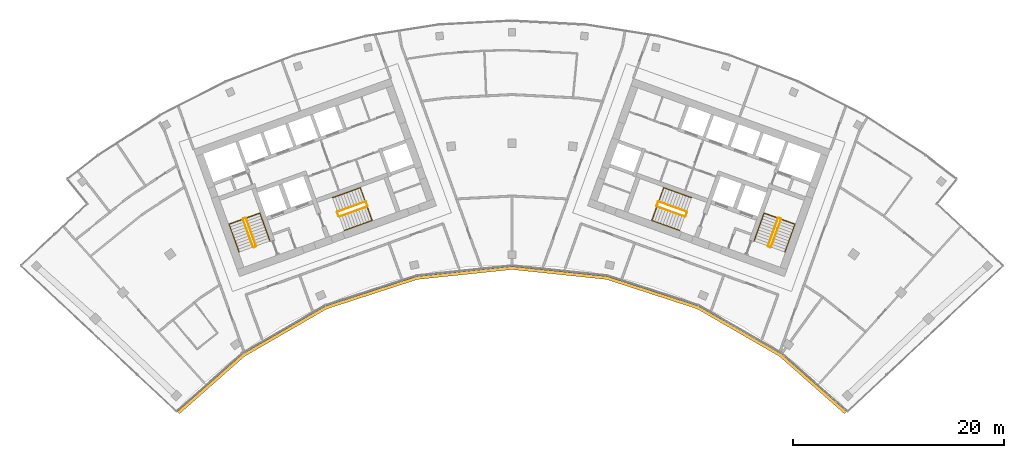
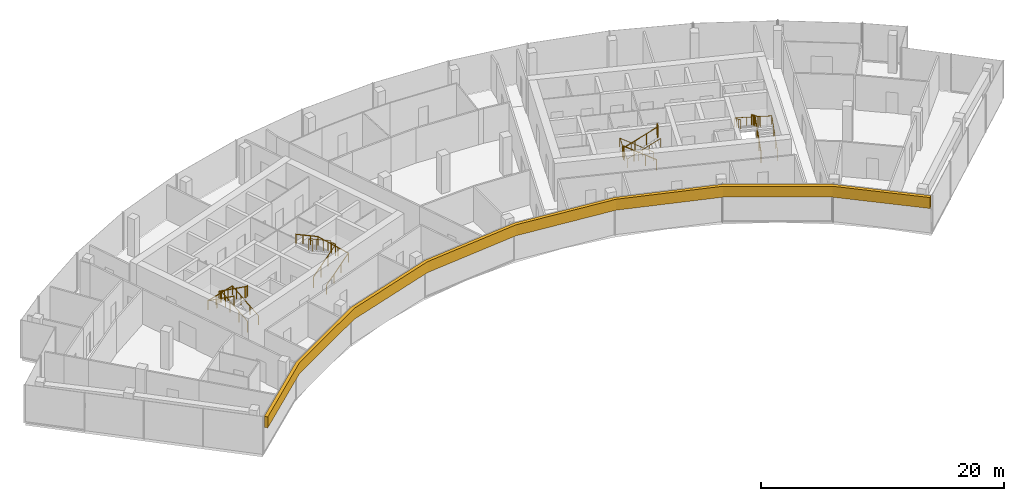
# One storey, part 18 of 18: 12 railings, 1 covering.
"""IFC4 building model written with IfcOpenShell, lengths in metres."""

import ifcopenshell
import ifcopenshell.guid

model = None  # the IFC model being written
_history = None  # IfcOwnerHistory: only IFC2X3 demands one
_inside = {}  # id of a spatial element -> (the spatial element, [elements in it])
_under = {}  # id of a project, library or spatial element -> (it, [spatial elements below it])
_declared = {}  # id of a project -> (the project, [libraries it declares])
_typed = {}  # id of a type object -> (the type object, [elements of that type])
_made_of = {}  # id of a material, layer set ... -> (it, [elements and type objects made of it])


def new_model(schema):
    """Start an empty IFC model of exactly this schema.

    Asked for "IFC4X3", IfcOpenShell would pick the latest addendum, in which some entities
    have other attributes; the version numbers below select the first issue.
    IFC2X3 requires an IfcOwnerHistory on every rooted entity: one is made here for all.
    """
    global model, _history
    if schema == "IFC4X3":
        model = ifcopenshell.file(schema_version=(4, 3, 0, 0))
    else:
        model = ifcopenshell.file(schema=schema)
    _inside.clear()
    _under.clear()
    _declared.clear()
    _typed.clear()
    _made_of.clear()
    _history = None
    if model.schema == "IFC2X3":
        org = make("IfcOrganization", Name="unknown")
        user = make(
            "IfcPersonAndOrganization",
            ThePerson=make("IfcPerson", FamilyName="unknown"),
            TheOrganization=org,
        )
        app = make(
            "IfcApplication",
            ApplicationDeveloper=org,
            Version="unknown",
            ApplicationFullName="unknown",
            ApplicationIdentifier="unknown",
        )
        _history = make(
            "IfcOwnerHistory",
            OwningUser=user,
            OwningApplication=app,
            ChangeAction="ADDED",
            CreationDate=0,
        )
    return model


def make(cls, **values):
    """One entity of the class cls with the attributes given. An attribute that is None is left unset."""
    return model.create_entity(
        cls, **{name: value for name, value in values.items() if value is not None}
    )


def rooted(cls, **values):
    """An entity with a GlobalId (a new one), such as an element, a storey or a relation."""
    return make(cls, GlobalId=ifcopenshell.guid.new(), OwnerHistory=_history, **values)


def si_unit(unit_type, name, prefix=None):
    """IfcSIUnit, for example si_unit("LENGTHUNIT", "METRE", prefix="MILLI")."""
    return make("IfcSIUnit", UnitType=unit_type, Prefix=prefix, Name=name)


def assignment(units):
    """IfcUnitAssignment: the units of a project."""
    return None if units is None else make("IfcUnitAssignment", Units=units)


def point(xyz):
    """IfcCartesianPoint."""
    return None if xyz is None else make("IfcCartesianPoint", Coordinates=xyz)


def direction(xyz):
    """IfcDirection."""
    return None if xyz is None else make("IfcDirection", DirectionRatios=xyz)


def frame(location, z_axis=None, x_axis=None):
    """IfcAxis2Placement3D, a coordinate frame: its origin and axes. An axis left out is left unset."""
    return make(
        "IfcAxis2Placement3D",
        Location=point(location),
        Axis=direction(z_axis),
        RefDirection=direction(x_axis),
    )


def frame_2d(location, x_axis=None):
    """IfcAxis2Placement2D, a coordinate frame in the plane: its origin and x axis."""
    return make(
        "IfcAxis2Placement2D", Location=point(location), RefDirection=direction(x_axis)
    )


def origin():
    """The frame at (0, 0, 0) with its axes left unset."""
    return frame((0.0, 0.0, 0.0))


def origin_2d():
    """The frame at (0, 0) in the plane with its x axis left unset."""
    return frame_2d((0.0, 0.0))


def place(relative_to, where):
    """IfcLocalPlacement: puts the frame where relative to a parent placement (None: the world)."""
    return make(
        "IfcLocalPlacement", PlacementRelTo=relative_to, RelativePlacement=where
    )


def context(
    kind, dimensions, precision=None, world=None, true_north=None, identifier=None
):
    """IfcGeometricRepresentationContext, for example the 3D "Model" context."""
    return make(
        "IfcGeometricRepresentationContext",
        ContextIdentifier=identifier,
        ContextType=kind,
        CoordinateSpaceDimension=dimensions,
        Precision=precision,
        WorldCoordinateSystem=world,
        TrueNorth=true_north,
    )


def subcontext(parent, identifier, kind, view, scale=None):
    """IfcGeometricRepresentationSubContext, for example "Body" below "Model"."""
    return make(
        "IfcGeometricRepresentationSubContext",
        ContextIdentifier=identifier,
        ContextType=kind,
        ParentContext=parent,
        TargetScale=scale,
        TargetView=view,
    )


def project(units=None, contexts=None):
    """IfcProject with its units and contexts."""
    return rooted(
        "IfcProject",
        Name="project",
        RepresentationContexts=contexts,
        UnitsInContext=assignment(units),
    )


def spatial(cls, under=None, at=None, **own):
    """A site, building, storey or space (cls), placed at a placement, below another one or the project."""
    s = rooted(cls, ObjectPlacement=at, **own)
    if under is not None:
        _under.setdefault(under.id(), (under, []))[1].append(s)
    return s


def polyline(points):
    """IfcPolyline through the points."""
    return make("IfcPolyline", Points=[point(p) for p in points])


def profile(cls, at=None, kind="AREA", **sizes):
    """A parametric profile (cls). Its sizes go by their IFC names, for example OverallWidth=200.0."""
    return make(cls, ProfileType=kind, Position=at, **sizes)


def circle(**sizes):
    """IfcCircleProfileDef."""
    return profile("IfcCircleProfileDef", **sizes)


def outline(outer, holes=None, kind="AREA"):
    """IfcArbitraryClosedProfileDef: a profile drawn as a closed curve; with holes, ...WithVoids."""
    if holes is None:
        return make("IfcArbitraryClosedProfileDef", ProfileType=kind, OuterCurve=outer)
    return make(
        "IfcArbitraryProfileDefWithVoids",
        ProfileType=kind,
        OuterCurve=outer,
        InnerCurves=holes,
    )


def extrude(swept, where, along, depth):
    """IfcExtrudedAreaSolid: the profile swept, set in the frame where, extruded along a direction by depth."""
    return make(
        "IfcExtrudedAreaSolid",
        SweptArea=swept,
        Position=where,
        ExtrudedDirection=direction(along),
        Depth=depth,
    )


def shape(context_of_items, identifier, shape_type, items):
    """IfcShapeRepresentation: the items that make up one representation, for example the "Body"."""
    return make(
        "IfcShapeRepresentation",
        ContextOfItems=context_of_items,
        RepresentationIdentifier=identifier,
        RepresentationType=shape_type,
        Items=items,
    )


def material(Name=None, Category=None):
    """IfcMaterial."""
    return make("IfcMaterial", Name=Name, Category=Category)


def layer(
    of_material, thickness, ventilated=None, Name=None, Category=None, Priority=None
):
    """IfcMaterialLayer: one layer of a wall or slab, of a material (None: an air gap)."""
    return make(
        "IfcMaterialLayer",
        Material=of_material,
        LayerThickness=thickness,
        IsVentilated=ventilated,
        Name=Name,
        Category=Category,
        Priority=Priority,
    )


def layer_set(layers, Name=None):
    """IfcMaterialLayerSet."""
    return make("IfcMaterialLayerSet", MaterialLayers=layers, LayerSetName=Name)


def made_of(thing, what):
    """Note that an element or type object is made of a material, layer set ...; save() writes the relation."""
    if what is not None:
        _made_of.setdefault(what.id(), (what, []))[1].append(thing)
    return thing


def type_object(cls, material=None, **own):
    """A type object (cls), such as IfcWallType, which elements share."""
    return made_of(rooted(cls, **own), material)


def element(
    cls,
    number,
    at=None,
    inside=None,
    cuts=None,
    type_object=None,
    material=None,
    context=None,
    identifier="Body",
    shape_type=None,
    held_by="IfcProductDefinitionShape",
    body=None,
    shapes=None,
    **own,
):
    """One element of the class cls, such as IfcWall. Its Tag is "e" and its number.

    at: its placement. inside: the storey or other place that contains it. cuts: it is an
    opening in that element (IfcRelVoidsElement). A single representation is given by context,
    identifier, shape_type and body (its items); several are given by shapes. held_by: the class
    of the entity that holds the representations. save() writes the other relations.
    """
    e = rooted(cls, Tag="e%d" % number, ObjectPlacement=at, **own)
    if body is not None:
        shapes = [shape(context, identifier, shape_type, body)]
    if shapes is not None:
        e.Representation = make(held_by, Representations=shapes)
    if inside is not None:
        _inside.setdefault(inside.id(), (inside, []))[1].append(e)
    if cuts is not None:
        rooted(
            "IfcRelVoidsElement", RelatingBuildingElement=cuts, RelatedOpeningElement=e
        )
    if type_object is not None:
        _typed.setdefault(type_object.id(), (type_object, []))[1].append(e)
    return made_of(e, material)


def aggregate(whole, parts):
    """IfcRelAggregates: a whole, such as a stair, and the parts it consists of."""
    return rooted("IfcRelAggregates", RelatingObject=whole, RelatedObjects=parts)


def save(model, path):
    """Write the relations noted so far, then the file.

    IfcRelAggregates (storeys below a building ...), IfcRelContainedInSpatialStructure (elements
    in a storey), IfcRelDefinesByType, IfcRelAssociatesMaterial and IfcRelDeclares: one each for
    every whole, place, type object, material and project.
    """
    for whole, parts in _under.values():
        aggregate(whole, parts)
    for where, things in _inside.values():
        rooted(
            "IfcRelContainedInSpatialStructure",
            RelatedElements=things,
            RelatingStructure=where,
        )
    for kind, things in _typed.values():
        rooted("IfcRelDefinesByType", RelatedObjects=things, RelatingType=kind)
    for what, things in _made_of.values():
        rooted("IfcRelAssociatesMaterial", RelatedObjects=things, RelatingMaterial=what)
    for by, libraries in _declared.values():
        rooted("IfcRelDeclares", RelatingContext=by, RelatedDefinitions=libraries)
    model.write(path)


model = new_model("IFC4")

# Units and contexts
model_context = context("Model", 3, precision=1e-05, world=origin(), true_north=direction((0.0, 1.0)))
body_context = subcontext(model_context, "Body", "Model", "MODEL_VIEW")
ifc_project = project(units=[si_unit("LENGTHUNIT", "METRE"), si_unit("AREAUNIT", "SQUARE_METRE"), si_unit("VOLUMEUNIT", "CUBIC_METRE"), si_unit("PLANEANGLEUNIT", "RADIAN"), si_unit("MASSUNIT", "GRAM", prefix="KILO")], contexts=[model_context])

# Site, building, storey
site_placement = place(None, origin())
site = spatial("IfcSite", under=ifc_project, at=site_placement, CompositionType="ELEMENT")
building_placement = place(site_placement, origin())
building = spatial("IfcBuilding", under=site, at=building_placement, Name="Stone Belt Terrace Tower", CompositionType="ELEMENT")
storey_placement = place(building_placement, frame((0.0, 0.0, 265.60009765625)))
storey = spatial("IfcBuildingStorey", under=building, at=storey_placement, Name="L64", CompositionType="ELEMENT", Elevation=265.60009765625)

# Railings
ifc_material_1 = material(Name="Structural steel C345", Category="steel")
railing_type_1 = type_object("IfcRailingType", Name="Stair guard 1100", PredefinedType="GUARDRAIL", material=ifc_material_1)
railing_1_placement = place(storey_placement, frame((-24.2119140625, 45.276123046875, 0.172607421875)))
element("IfcRailing", 1, at=railing_1_placement, inside=storey, type_object=railing_type_1, Name="L64 ST1A stair guard 1", PredefinedType="GUARDRAIL", context=body_context, shape_type="SweptSolid", body=[
    extrude(circle(Radius=0.02392578125, at=origin_2d()), frame((0.0, 0.0, 1.076171875), z_axis=(-0.288228637646, 0.800791768495, 0.525030280985), x_axis=(-0.940908529223, -0.338660803216, 0.0)), (0.0, 0.0, 1.0), 3.289794921875),
    extrude(circle(Radius=0.02392578125, at=origin_2d()), frame((-0.9482421875, 2.634521484375, 2.80322265625), z_axis=(-0.905209821074, 0.424964916, 0.0), x_axis=(-0.424964916, -0.905209821074, 0.0)), (0.0, 0.0, 1.0), 0.070556640625),
    extrude(circle(Radius=0.02392578125, at=origin_2d()), frame((-1.01220703125, 2.66455078125, 2.80322265625), z_axis=(-0.941105063269, -0.338114270461, 0.0), x_axis=(0.338114270461, -0.941105063269, 0.0)), (0.0, 0.0, 1.0), 0.199951171875),
    extrude(circle(Radius=0.02099609375, at=origin_2d()), origin(), (0.0, 0.0, 1.0), 1.052001953125),
    extrude(circle(Radius=0.02099609375, at=origin_2d()), frame((-0.316162109375, 0.878173828125, 0.57568359375)), (0.0, 0.0, 1.0), 1.052001953125),
    extrude(circle(Radius=0.02099609375, at=origin_2d()), frame((-0.632080078125, 1.75634765625, 1.151611328125)), (0.0, 0.0, 1.0), 1.052001953125),
    extrude(circle(Radius=0.02099609375, at=origin_2d()), frame((-0.9482421875, 2.634521484375, 1.727294921875)), (0.0, 0.0, 1.0), 1.052001953125),
    extrude(circle(Radius=0.02099609375, at=origin_2d()), frame((-1.01220703125, 2.66455078125, 1.727294921875)), (0.0, 0.0, 1.0), 1.052001953125),
    extrude(circle(Radius=0.02099609375, at=origin_2d()), frame((-1.200439453125, 2.596923828125, 1.727294921875)), (0.0, 0.0, 1.0), 1.052001953125),
])
railing_2_placement = place(storey_placement, frame((-25.4423828125, 47.80908203125, 2.072509765625)))
element("IfcRailing", 2, at=railing_2_placement, inside=storey, type_object=railing_type_1, Name="L64 ST1A stair guard 2", PredefinedType="GUARDRAIL", context=body_context, shape_type="SweptSolid", body=[
    extrude(circle(Radius=0.02392578125, at=origin_2d()), frame((0.0, 0.0, 1.076171875), z_axis=(0.288228637646, -0.800791768495, 0.525030280985), x_axis=(0.940908529223, 0.338660803216, 0.0)), (0.0, 0.0, 1.0), 3.289794921875),
    extrude(circle(Radius=0.02392578125, at=origin_2d()), frame((0.9482421875, -2.634521484375, 2.80322265625), z_axis=(0.903878284585, -0.427789722475, 0.0), x_axis=(0.427789722475, 0.903878284585, 0.0)), (0.0, 0.0, 1.0), 0.07080078125),
    extrude(circle(Radius=0.02392578125, at=origin_2d()), frame((1.01220703125, -2.664794921875, 2.80322265625), z_axis=(0.940575576748, 0.339584429008, 0.0), x_axis=(-0.339584429008, 0.940575576748, 0.0)), (0.0, 0.0, 1.0), 0.199951171875),
    extrude(circle(Radius=0.02099609375, at=origin_2d()), origin(), (0.0, 0.0, 1.0), 1.052001953125),
    extrude(circle(Radius=0.02099609375, at=origin_2d()), frame((0.316162109375, -0.878173828125, 0.57568359375)), (0.0, 0.0, 1.0), 1.052001953125),
    extrude(circle(Radius=0.02099609375, at=origin_2d()), frame((0.632080078125, -1.75634765625, 1.151611328125)), (0.0, 0.0, 1.0), 1.052001953125),
    extrude(circle(Radius=0.02099609375, at=origin_2d()), frame((0.9482421875, -2.634521484375, 1.727294921875)), (0.0, 0.0, 1.0), 1.052001953125),
    extrude(circle(Radius=0.02099609375, at=origin_2d()), frame((1.01220703125, -2.664794921875, 1.727294921875)), (0.0, 0.0, 1.0), 1.052001953125),
    extrude(circle(Radius=0.02099609375, at=origin_2d()), frame((1.2001953125, -2.596923828125, 1.727294921875)), (0.0, 0.0, 1.0), 1.052001953125),
])
railing_3_placement = place(storey_placement, frame((-16.33837890625, 48.056640625, 0.172607421875)))
element("IfcRailing", 3, at=railing_3_placement, inside=storey, type_object=railing_type_1, Name="L64 ST2A stair guard 1", PredefinedType="GUARDRAIL", context=body_context, shape_type="SweptSolid", body=[
    extrude(circle(Radius=0.02392578125, at=origin_2d()), frame((0.0, 0.0, 1.076171875), z_axis=(0.800808895155, 0.288160591223, 0.52504150989), x_axis=(-0.338583606334, 0.940936311087, 0.0)), (0.0, 0.0, 1.0), 3.289794921875),
    extrude(circle(Radius=0.02392578125, at=origin_2d()), frame((2.634521484375, 0.947998046875, 2.80322265625), z_axis=(0.427789722475, 0.903878284585, 0.0), x_axis=(-0.903878284585, 0.427789722475, 0.0)), (0.0, 0.0, 1.0), 0.07080078125),
    extrude(circle(Radius=0.02392578125, at=origin_2d()), frame((2.664794921875, 1.011962890625, 2.80322265625), z_axis=(-0.338654645739, 0.940910745459, 0.0), x_axis=(-0.940910745459, -0.338654645739, 0.0)), (0.0, 0.0, 1.0), 0.400146484375),
    extrude(circle(Radius=0.02099609375, at=origin_2d()), origin(), (0.0, 0.0, 1.0), 1.052001953125),
    extrude(circle(Radius=0.02099609375, at=origin_2d()), frame((0.878173828125, 0.31591796875, 0.57568359375)), (0.0, 0.0, 1.0), 1.052001953125),
    extrude(circle(Radius=0.02099609375, at=origin_2d()), frame((1.75634765625, 0.632080078125, 1.151611328125)), (0.0, 0.0, 1.0), 1.052001953125),
    extrude(circle(Radius=0.02099609375, at=origin_2d()), frame((2.634521484375, 0.947998046875, 1.727294921875)), (0.0, 0.0, 1.0), 1.052001953125),
    extrude(circle(Radius=0.02099609375, at=origin_2d()), frame((2.664794921875, 1.011962890625, 1.727294921875)), (0.0, 0.0, 1.0), 1.052001953125),
    extrude(circle(Radius=0.02099609375, at=origin_2d()), frame((2.529296875, 1.388427734375, 1.727294921875)), (0.0, 0.0, 1.0), 1.052001953125),
])
railing_4_placement = place(storey_placement, frame((-13.873046875, 49.47509765625, 2.072509765625)))
element("IfcRailing", 4, at=railing_4_placement, inside=storey, type_object=railing_type_1, Name="L64 ST2A stair guard 2", PredefinedType="GUARDRAIL", context=body_context, shape_type="SweptSolid", body=[
    extrude(circle(Radius=0.02392578125, at=origin_2d()), frame((0.0, 0.0, 1.076171875), z_axis=(-0.800808895155, -0.288160591223, 0.52504150989), x_axis=(0.338583606334, -0.940936311087, 0.0)), (0.0, 0.0, 1.0), 3.289794921875),
    extrude(circle(Radius=0.02392578125, at=origin_2d()), frame((-2.634521484375, -0.947998046875, 2.80322265625), z_axis=(-0.427789722475, -0.903878284585, 0.0), x_axis=(0.903878284585, -0.427789722475, 0.0)), (0.0, 0.0, 1.0), 0.07080078125),
    extrude(circle(Radius=0.02392578125, at=origin_2d()), frame((-2.664794921875, -1.011962890625, 2.80322265625), z_axis=(0.338654645739, -0.940910745459, 0.0), x_axis=(0.940910745459, 0.338654645739, 0.0)), (0.0, 0.0, 1.0), 0.400146484375),
    extrude(circle(Radius=0.02099609375, at=origin_2d()), origin(), (0.0, 0.0, 1.0), 1.052001953125),
    extrude(circle(Radius=0.02099609375, at=origin_2d()), frame((-0.878173828125, -0.31591796875, 0.57568359375)), (0.0, 0.0, 1.0), 1.052001953125),
    extrude(circle(Radius=0.02099609375, at=origin_2d()), frame((-1.75634765625, -0.632080078125, 1.151611328125)), (0.0, 0.0, 1.0), 1.052001953125),
    extrude(circle(Radius=0.02099609375, at=origin_2d()), frame((-2.634521484375, -0.947998046875, 1.727294921875)), (0.0, 0.0, 1.0), 1.052001953125),
    extrude(circle(Radius=0.02099609375, at=origin_2d()), frame((-2.664794921875, -1.011962890625, 1.727294921875)), (0.0, 0.0, 1.0), 1.052001953125),
    extrude(circle(Radius=0.02099609375, at=origin_2d()), frame((-2.529296875, -1.388427734375, 1.727294921875)), (0.0, 0.0, 1.0), 1.052001953125),
])
railing_5_placement = place(storey_placement, frame((24.494140625, 45.174560546875, 0.172607421875)))
element("IfcRailing", 5, at=railing_5_placement, inside=storey, type_object=railing_type_1, Name="L64 ST1B stair guard 1", PredefinedType="GUARDRAIL", context=body_context, shape_type="SweptSolid", body=[
    extrude(circle(Radius=0.02392578125, at=origin_2d()), frame((0.0, 0.0, 1.076171875), z_axis=(0.288228637646, 0.800791768495, 0.525030280985), x_axis=(-0.940908529223, 0.338660803216, 0.0)), (0.0, 0.0, 1.0), 3.289794921875),
    extrude(circle(Radius=0.02392578125, at=origin_2d()), frame((0.9482421875, 2.634521484375, 2.80322265625), z_axis=(-0.424964916, 0.905209821074, 0.0), x_axis=(-0.905209821074, -0.424964916, 0.0)), (0.0, 0.0, 1.0), 0.070556640625),
    extrude(circle(Radius=0.02392578125, at=origin_2d()), frame((0.918212890625, 2.698486328125, 2.80322265625), z_axis=(-0.941105063269, 0.338114270461, 0.0), x_axis=(-0.338114270461, -0.941105063269, 0.0)), (0.0, 0.0, 1.0), 0.199951171875),
    extrude(circle(Radius=0.02099609375, at=origin_2d()), origin(), (0.0, 0.0, 1.0), 1.052001953125),
    extrude(circle(Radius=0.02099609375, at=origin_2d()), frame((0.316162109375, 0.878173828125, 0.57568359375)), (0.0, 0.0, 1.0), 1.052001953125),
    extrude(circle(Radius=0.02099609375, at=origin_2d()), frame((0.632080078125, 1.75634765625, 1.151611328125)), (0.0, 0.0, 1.0), 1.052001953125),
    extrude(circle(Radius=0.02099609375, at=origin_2d()), frame((0.9482421875, 2.634521484375, 1.727294921875)), (0.0, 0.0, 1.0), 1.052001953125),
    extrude(circle(Radius=0.02099609375, at=origin_2d()), frame((0.918212890625, 2.698486328125, 1.727294921875)), (0.0, 0.0, 1.0), 1.052001953125),
    extrude(circle(Radius=0.02099609375, at=origin_2d()), frame((0.72998046875, 2.76611328125, 1.727294921875)), (0.0, 0.0, 1.0), 1.052001953125),
])
railing_6_placement = place(storey_placement, frame((25.16015625, 47.91064453125, 2.072509765625)))
element("IfcRailing", 6, at=railing_6_placement, inside=storey, type_object=railing_type_1, Name="L64 ST1B stair guard 2", PredefinedType="GUARDRAIL", context=body_context, shape_type="SweptSolid", body=[
    extrude(circle(Radius=0.02392578125, at=origin_2d()), frame((0.0, 0.0, 1.076171875), z_axis=(-0.288228637646, -0.800791768495, 0.525030280985), x_axis=(0.940908529223, -0.338660803216, 0.0)), (0.0, 0.0, 1.0), 3.289794921875),
    extrude(circle(Radius=0.02392578125, at=origin_2d()), frame((-0.9482421875, -2.634521484375, 2.80322265625), z_axis=(0.427789722475, -0.903878284585, 0.0), x_axis=(0.903878284585, 0.427789722475, 0.0)), (0.0, 0.0, 1.0), 0.07080078125),
    extrude(circle(Radius=0.02392578125, at=origin_2d()), frame((-0.91796875, -2.698486328125, 2.80322265625), z_axis=(0.940575576748, -0.339584429008, 0.0), x_axis=(0.339584429008, 0.940575576748, 0.0)), (0.0, 0.0, 1.0), 0.199951171875),
    extrude(circle(Radius=0.02099609375, at=origin_2d()), origin(), (0.0, 0.0, 1.0), 1.052001953125),
    extrude(circle(Radius=0.02099609375, at=origin_2d()), frame((-0.316162109375, -0.878173828125, 0.57568359375)), (0.0, 0.0, 1.0), 1.052001953125),
    extrude(circle(Radius=0.02099609375, at=origin_2d()), frame((-0.632080078125, -1.75634765625, 1.151611328125)), (0.0, 0.0, 1.0), 1.052001953125),
    extrude(circle(Radius=0.02099609375, at=origin_2d()), frame((-0.9482421875, -2.634521484375, 1.727294921875)), (0.0, 0.0, 1.0), 1.052001953125),
    extrude(circle(Radius=0.02099609375, at=origin_2d()), frame((-0.91796875, -2.698486328125, 1.727294921875)), (0.0, 0.0, 1.0), 1.052001953125),
    extrude(circle(Radius=0.02099609375, at=origin_2d()), frame((-0.72998046875, -2.766357421875, 1.727294921875)), (0.0, 0.0, 1.0), 1.052001953125),
])
railing_7_placement = place(storey_placement, frame((16.507568359375, 48.527099609375, 0.172607421875)))
element("IfcRailing", 7, at=railing_7_placement, inside=storey, type_object=railing_type_1, Name="L64 ST2B stair guard 1", PredefinedType="GUARDRAIL", context=body_context, shape_type="SweptSolid", body=[
    extrude(circle(Radius=0.02392578125, at=origin_2d()), frame((0.0, 0.0, 1.076171875), z_axis=(-0.800808895155, 0.288160591223, 0.52504150989), x_axis=(-0.338583606334, -0.940936311087, 0.0)), (0.0, 0.0, 1.0), 3.289794921875),
    extrude(circle(Radius=0.02392578125, at=origin_2d()), frame((-2.634521484375, 0.947998046875, 2.80322265625), z_axis=(-0.905209821074, -0.424964916, 0.0), x_axis=(0.424964916, -0.905209821074, 0.0)), (0.0, 0.0, 1.0), 0.070556640625),
    extrude(circle(Radius=0.02392578125, at=origin_2d()), frame((-2.698486328125, 0.91796875, 2.80322265625), z_axis=(-0.338654645739, -0.940910745459, 0.0), x_axis=(0.940910745459, -0.338654645739, 0.0)), (0.0, 0.0, 1.0), 0.400146484375),
    extrude(circle(Radius=0.02099609375, at=origin_2d()), origin(), (0.0, 0.0, 1.0), 1.052001953125),
    extrude(circle(Radius=0.02099609375, at=origin_2d()), frame((-0.878173828125, 0.31591796875, 0.57568359375)), (0.0, 0.0, 1.0), 1.052001953125),
    extrude(circle(Radius=0.02099609375, at=origin_2d()), frame((-1.75634765625, 0.632080078125, 1.151611328125)), (0.0, 0.0, 1.0), 1.052001953125),
    extrude(circle(Radius=0.02099609375, at=origin_2d()), frame((-2.634521484375, 0.947998046875, 1.727294921875)), (0.0, 0.0, 1.0), 1.052001953125),
    extrude(circle(Radius=0.02099609375, at=origin_2d()), frame((-2.698486328125, 0.91796875, 1.727294921875)), (0.0, 0.0, 1.0), 1.052001953125),
    extrude(circle(Radius=0.02099609375, at=origin_2d()), frame((-2.833984375, 0.54150390625, 1.727294921875)), (0.0, 0.0, 1.0), 1.052001953125),
])
railing_8_placement = place(storey_placement, frame((13.703857421875, 49.004638671875, 2.072509765625)))
element("IfcRailing", 8, at=railing_8_placement, inside=storey, type_object=railing_type_1, Name="L64 ST2B stair guard 2", PredefinedType="GUARDRAIL", context=body_context, shape_type="SweptSolid", body=[
    extrude(circle(Radius=0.02392578125, at=origin_2d()), frame((0.0, 0.0, 1.076171875), z_axis=(0.800808895155, -0.288160591223, 0.52504150989), x_axis=(0.338583606334, 0.940936311087, 0.0)), (0.0, 0.0, 1.0), 3.289794921875),
    extrude(circle(Radius=0.02392578125, at=origin_2d()), frame((2.634521484375, -0.947998046875, 2.80322265625), z_axis=(0.905209821074, 0.424964916, 0.0), x_axis=(-0.424964916, 0.905209821074, 0.0)), (0.0, 0.0, 1.0), 0.070556640625),
    extrude(circle(Radius=0.02392578125, at=origin_2d()), frame((2.698486328125, -0.91796875, 2.80322265625), z_axis=(0.338654645739, 0.940910745459, 0.0), x_axis=(-0.940910745459, 0.338654645739, 0.0)), (0.0, 0.0, 1.0), 0.400146484375),
    extrude(circle(Radius=0.02099609375, at=origin_2d()), origin(), (0.0, 0.0, 1.0), 1.052001953125),
    extrude(circle(Radius=0.02099609375, at=origin_2d()), frame((0.878173828125, -0.31591796875, 0.57568359375)), (0.0, 0.0, 1.0), 1.052001953125),
    extrude(circle(Radius=0.02099609375, at=origin_2d()), frame((1.75634765625, -0.632080078125, 1.151611328125)), (0.0, 0.0, 1.0), 1.052001953125),
    extrude(circle(Radius=0.02099609375, at=origin_2d()), frame((2.634521484375, -0.947998046875, 1.727294921875)), (0.0, 0.0, 1.0), 1.052001953125),
    extrude(circle(Radius=0.02099609375, at=origin_2d()), frame((2.698486328125, -0.91796875, 1.727294921875)), (0.0, 0.0, 1.0), 1.052001953125),
    extrude(circle(Radius=0.02099609375, at=origin_2d()), frame((2.833984375, -0.54150390625, 1.727294921875)), (0.0, 0.0, 1.0), 1.052001953125),
])
railing_type_2 = type_object("IfcRailingType", Name="Stair handrail 900", PredefinedType="HANDRAIL", material=ifc_material_1)
railing_9_placement = place(storey_placement, frame((-22.894775390625, 45.750244140625, 0.172607421875)))
element("IfcRailing", 9, at=railing_9_placement, inside=storey, type_object=railing_type_2, Name="L64 ST1A stair handrail 1", PredefinedType="HANDRAIL", context=body_context, shape_type="SweptSolid", body=[
    extrude(circle(Radius=0.02392578125, at=origin_2d()), frame((0.0, 0.0, 0.8759765625), z_axis=(-0.288160591223, 0.800808895155, 0.52504150989), x_axis=(-0.940936311087, -0.338583606334, 0.0)), (0.0, 0.0, 1.0), 3.289794921875),
    extrude(circle(Radius=0.02392578125, at=origin_2d()), frame((-0.947998046875, 2.634521484375, 2.60302734375), z_axis=(-0.939464517435, -0.338106580597, 0.055591012205), x_axis=(0.338630230244, -0.940919532779, 0.0)), (0.0, 0.0, 1.0), 3.10498046875),
    extrude(circle(Radius=0.02392578125, at=origin_2d()), frame((-3.864990234375, 1.584716796875, 2.77587890625), z_axis=(0.288228637646, -0.800791768495, 0.525030280985), x_axis=(0.940908529223, 0.338660803216, 0.0)), (0.0, 0.0, 1.0), 3.289794921875),
    extrude(circle(Radius=0.02099609375, at=origin_2d()), origin(), (0.0, 0.0, 1.0), 0.851806640625),
    extrude(circle(Radius=0.02099609375, at=origin_2d()), frame((-0.31591796875, 0.878173828125, 0.57568359375)), (0.0, 0.0, 1.0), 0.851806640625),
    extrude(circle(Radius=0.02099609375, at=origin_2d()), frame((-0.632080078125, 1.75634765625, 1.151611328125)), (0.0, 0.0, 1.0), 0.851806640625),
    extrude(circle(Radius=0.02099609375, at=origin_2d()), frame((-0.947998046875, 2.634521484375, 1.727294921875)), (0.0, 0.0, 1.0), 0.851806640625),
    extrude(circle(Radius=0.02099609375, at=origin_2d()), frame((-1.92041015625, 2.28466796875, 1.784912109375)), (0.0, 0.0, 1.0), 0.851806640625),
    extrude(circle(Radius=0.02099609375, at=origin_2d()), frame((-2.892578125, 1.9345703125, 1.84228515625)), (0.0, 0.0, 1.0), 0.851806640625),
    extrude(circle(Radius=0.02099609375, at=origin_2d()), frame((-3.864990234375, 1.584716796875, 1.89990234375)), (0.0, 0.0, 1.0), 0.851806640625),
    extrude(circle(Radius=0.02099609375, at=origin_2d()), frame((-3.548828125, 0.70654296875, 2.4755859375)), (0.0, 0.0, 1.0), 0.851806640625),
    extrude(circle(Radius=0.02099609375, at=origin_2d()), frame((-3.23291015625, -0.171630859375, 3.051513671875)), (0.0, 0.0, 1.0), 0.851806640625),
    extrude(circle(Radius=0.02099609375, at=origin_2d()), frame((-2.916748046875, -1.0498046875, 3.627197265625)), (0.0, 0.0, 1.0), 0.851806640625),
])
railing_10_placement = place(storey_placement, frame((-15.8642578125, 46.7392578125, 0.172607421875)))
element("IfcRailing", 10, at=railing_10_placement, inside=storey, type_object=railing_type_2, Name="L64 ST2A stair handrail 1", PredefinedType="HANDRAIL", context=body_context, shape_type="SweptSolid", body=[
    extrude(circle(Radius=0.02392578125, at=origin_2d()), frame((0.0, 0.0, 0.8759765625), z_axis=(0.800791768495, 0.288228637646, 0.525030280985), x_axis=(-0.338660803216, 0.940908529223, 0.0)), (0.0, 0.0, 1.0), 3.289794921875),
    extrude(circle(Radius=0.02392578125, at=origin_2d()), frame((2.634521484375, 0.9482421875, 2.60302734375), z_axis=(-0.338160254016, 0.939637778147, 0.052234935458), x_axis=(-0.940922302781, -0.338622533404, 0.0)), (0.0, 0.0, 1.0), 3.304443359375),
    extrude(circle(Radius=0.02392578125, at=origin_2d()), frame((1.51708984375, 4.05322265625, 2.77587890625), z_axis=(-0.800791768495, -0.288228637646, 0.525030280985), x_axis=(0.338660803216, -0.940908529223, 0.0)), (0.0, 0.0, 1.0), 3.289794921875),
    extrude(circle(Radius=0.02099609375, at=origin_2d()), origin(), (0.0, 0.0, 1.0), 0.851806640625),
    extrude(circle(Radius=0.02099609375, at=origin_2d()), frame((0.878173828125, 0.316162109375, 0.57568359375)), (0.0, 0.0, 1.0), 0.851806640625),
    extrude(circle(Radius=0.02099609375, at=origin_2d()), frame((1.75634765625, 0.632080078125, 1.151611328125)), (0.0, 0.0, 1.0), 0.851806640625),
    extrude(circle(Radius=0.02099609375, at=origin_2d()), frame((2.634521484375, 0.9482421875, 1.727294921875)), (0.0, 0.0, 1.0), 0.851806640625),
    extrude(circle(Radius=0.02099609375, at=origin_2d()), frame((2.261962890625, 1.983154296875, 1.784912109375)), (0.0, 0.0, 1.0), 0.851806640625),
    extrude(circle(Radius=0.02099609375, at=origin_2d()), frame((1.8896484375, 3.018310546875, 1.84228515625)), (0.0, 0.0, 1.0), 0.851806640625),
    extrude(circle(Radius=0.02099609375, at=origin_2d()), frame((1.51708984375, 4.05322265625, 1.89990234375)), (0.0, 0.0, 1.0), 0.851806640625),
    extrude(circle(Radius=0.02099609375, at=origin_2d()), frame((0.638916015625, 3.737060546875, 2.4755859375)), (0.0, 0.0, 1.0), 0.851806640625),
    extrude(circle(Radius=0.02099609375, at=origin_2d()), frame((-0.2392578125, 3.421142578125, 3.051513671875)), (0.0, 0.0, 1.0), 0.851806640625),
    extrude(circle(Radius=0.02099609375, at=origin_2d()), frame((-1.117431640625, 3.10498046875, 3.627197265625)), (0.0, 0.0, 1.0), 0.851806640625),
])
railing_11_placement = place(storey_placement, frame((25.8115234375, 44.700439453125, 0.172607421875)))
element("IfcRailing", 11, at=railing_11_placement, inside=storey, type_object=railing_type_2, Name="L64 ST1B stair handrail 1", PredefinedType="HANDRAIL", context=body_context, shape_type="SweptSolid", body=[
    extrude(circle(Radius=0.02392578125, at=origin_2d()), frame((0.0, 0.0, 0.8759765625), z_axis=(0.288228637646, 0.800791768495, 0.525030280985), x_axis=(-0.940908529223, 0.338660803216, 0.0)), (0.0, 0.0, 1.0), 3.289794921875),
    extrude(circle(Radius=0.02392578125, at=origin_2d()), frame((0.9482421875, 2.634521484375, 2.60302734375), z_axis=(-0.939464517435, 0.338106580597, 0.055591012205), x_axis=(-0.338630230244, -0.940919532779, 0.0)), (0.0, 0.0, 1.0), 3.10498046875),
    extrude(circle(Radius=0.02392578125, at=origin_2d()), frame((-1.96875, 3.684326171875, 2.77587890625), z_axis=(-0.288160591223, -0.800808895155, 0.52504150989), x_axis=(0.940936311087, -0.338583606334, 0.0)), (0.0, 0.0, 1.0), 3.289794921875),
    extrude(circle(Radius=0.02099609375, at=origin_2d()), origin(), (0.0, 0.0, 1.0), 0.851806640625),
    extrude(circle(Radius=0.02099609375, at=origin_2d()), frame((0.316162109375, 0.878173828125, 0.57568359375)), (0.0, 0.0, 1.0), 0.851806640625),
    extrude(circle(Radius=0.02099609375, at=origin_2d()), frame((0.632080078125, 1.75634765625, 1.151611328125)), (0.0, 0.0, 1.0), 0.851806640625),
    extrude(circle(Radius=0.02099609375, at=origin_2d()), frame((0.9482421875, 2.634521484375, 1.727294921875)), (0.0, 0.0, 1.0), 0.851806640625),
    extrude(circle(Radius=0.02099609375, at=origin_2d()), frame((-0.024169921875, 2.984375, 1.784912109375)), (0.0, 0.0, 1.0), 0.851806640625),
    extrude(circle(Radius=0.02099609375, at=origin_2d()), frame((-0.996337890625, 3.33447265625, 1.84228515625)), (0.0, 0.0, 1.0), 0.851806640625),
    extrude(circle(Radius=0.02099609375, at=origin_2d()), frame((-1.96875, 3.684326171875, 1.89990234375)), (0.0, 0.0, 1.0), 0.851806640625),
    extrude(circle(Radius=0.02099609375, at=origin_2d()), frame((-2.28466796875, 2.80615234375, 2.4755859375)), (0.0, 0.0, 1.0), 0.851806640625),
    extrude(circle(Radius=0.02099609375, at=origin_2d()), frame((-2.600830078125, 1.927978515625, 3.051513671875)), (0.0, 0.0, 1.0), 0.851806640625),
    extrude(circle(Radius=0.02099609375, at=origin_2d()), frame((-2.916748046875, 1.0498046875, 3.627197265625)), (0.0, 0.0, 1.0), 0.851806640625),
])
railing_12_placement = place(storey_placement, frame((16.981689453125, 49.84423828125, 0.172607421875)))
element("IfcRailing", 12, at=railing_12_placement, inside=storey, type_object=railing_type_2, Name="L64 ST2B stair handrail 1", PredefinedType="HANDRAIL", context=body_context, shape_type="SweptSolid", body=[
    extrude(circle(Radius=0.02392578125, at=origin_2d()), frame((0.0, 0.0, 0.8759765625), z_axis=(-0.800791768495, 0.288228637646, 0.525030280985), x_axis=(-0.338660803216, -0.940908529223, 0.0)), (0.0, 0.0, 1.0), 3.289794921875),
    extrude(circle(Radius=0.02392578125, at=origin_2d()), frame((-2.634521484375, 0.9482421875, 2.60302734375), z_axis=(-0.338160254016, -0.939637778147, 0.052234935458), x_axis=(0.940922302781, -0.338622533404, 0.0)), (0.0, 0.0, 1.0), 3.304443359375),
    extrude(circle(Radius=0.02392578125, at=origin_2d()), frame((-3.751953125, -2.15673828125, 2.77587890625), z_axis=(0.800791768495, -0.288228637646, 0.525030280985), x_axis=(0.338660803216, 0.940908529223, 0.0)), (0.0, 0.0, 1.0), 3.289794921875),
    extrude(circle(Radius=0.02099609375, at=origin_2d()), origin(), (0.0, 0.0, 1.0), 0.851806640625),
    extrude(circle(Radius=0.02099609375, at=origin_2d()), frame((-0.878173828125, 0.316162109375, 0.57568359375)), (0.0, 0.0, 1.0), 0.851806640625),
    extrude(circle(Radius=0.02099609375, at=origin_2d()), frame((-1.75634765625, 0.632080078125, 1.151611328125)), (0.0, 0.0, 1.0), 0.851806640625),
    extrude(circle(Radius=0.02099609375, at=origin_2d()), frame((-2.634521484375, 0.9482421875, 1.727294921875)), (0.0, 0.0, 1.0), 0.851806640625),
    extrude(circle(Radius=0.02099609375, at=origin_2d()), frame((-3.007080078125, -0.086669921875, 1.784912109375)), (0.0, 0.0, 1.0), 0.851806640625),
    extrude(circle(Radius=0.02099609375, at=origin_2d()), frame((-3.37939453125, -1.121826171875, 1.84228515625)), (0.0, 0.0, 1.0), 0.851806640625),
    extrude(circle(Radius=0.02099609375, at=origin_2d()), frame((-3.751953125, -2.15673828125, 1.89990234375)), (0.0, 0.0, 1.0), 0.851806640625),
    extrude(circle(Radius=0.02099609375, at=origin_2d()), frame((-2.873779296875, -2.472900390625, 2.4755859375)), (0.0, 0.0, 1.0), 0.851806640625),
    extrude(circle(Radius=0.02099609375, at=origin_2d()), frame((-1.99560546875, -2.788818359375, 3.051513671875)), (0.0, 0.0, 1.0), 0.851806640625),
    extrude(circle(Radius=0.02099609375, at=origin_2d()), frame((-1.117431640625, -3.10498046875, 3.627197265625)), (0.0, 0.0, 1.0), 0.851806640625),
])

# Covering
ifc_material_2 = material(Name="Terracotta coloured glazed ceramic", Category="masonry")
ifc_layer = layer(ifc_material_2, 0.300048828125)
ifc_layer_set = layer_set([ifc_layer], Name="Terracotta spandrel band 300 x 1100")
covering_type = type_object("IfcCoveringType", Name="Terracotta spandrel band 300 x 1100", PredefinedType="CLADDING", material=ifc_layer_set)
covering_placement = place(storey_placement, frame((0.0, 0.0, 2.699951171875)))
element("IfcCovering", 13, at=covering_placement, inside=storey, type_object=covering_type, Name="BAND L64", PredefinedType="CLADDING", context=body_context, shape_type="SweptSolid", body=[
    extrude(outline(polyline([(-31.651611328125, 29.6220703125), (-25.480712890625, 35.06982421875), (-17.631591796875, 39.6015625), (-9.0126953125, 42.40185546875), (0.0, 43.34912109375), (9.0126953125, 42.40185546875), (17.631591796875, 39.6015625), (25.480712890625, 35.06982421875), (31.651611328125, 29.6220703125), (31.453125, 29.39697265625), (25.3046875, 34.824951171875), (17.509033203125, 39.325927734375), (8.9501953125, 42.10693359375), (0.0, 43.047607421875), (-8.9501953125, 42.10693359375), (-17.509033203125, 39.325927734375), (-25.3046875, 34.824951171875), (-31.453125, 29.39697265625), (-31.651611328125, 29.6220703125)])), origin(), (0.0, 0.0, 1.0), 1.099853515625),
])

save(model, "model.ifc")
